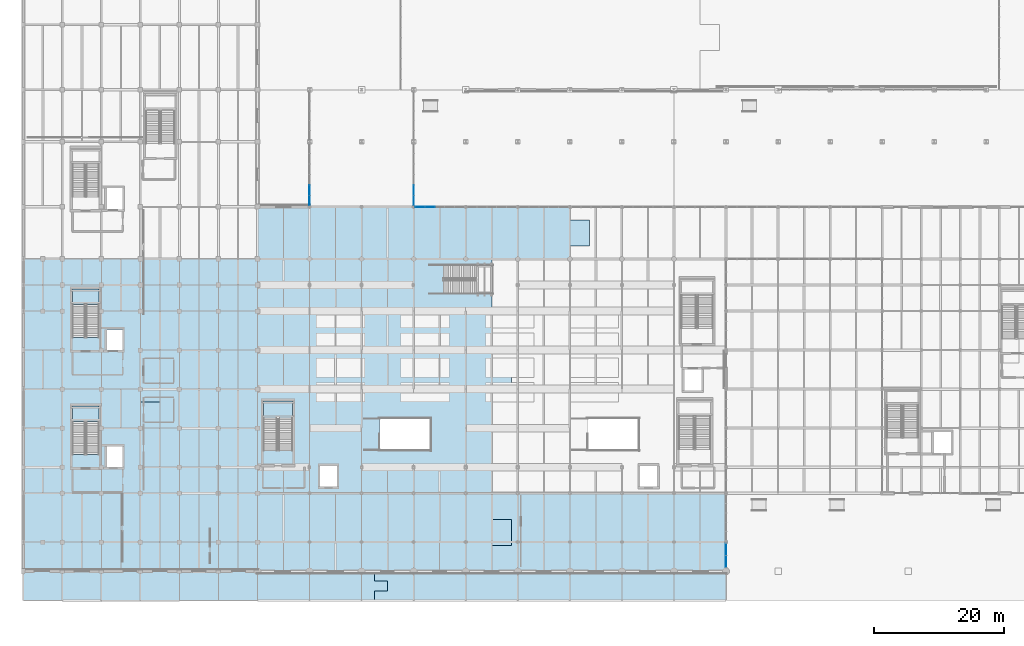
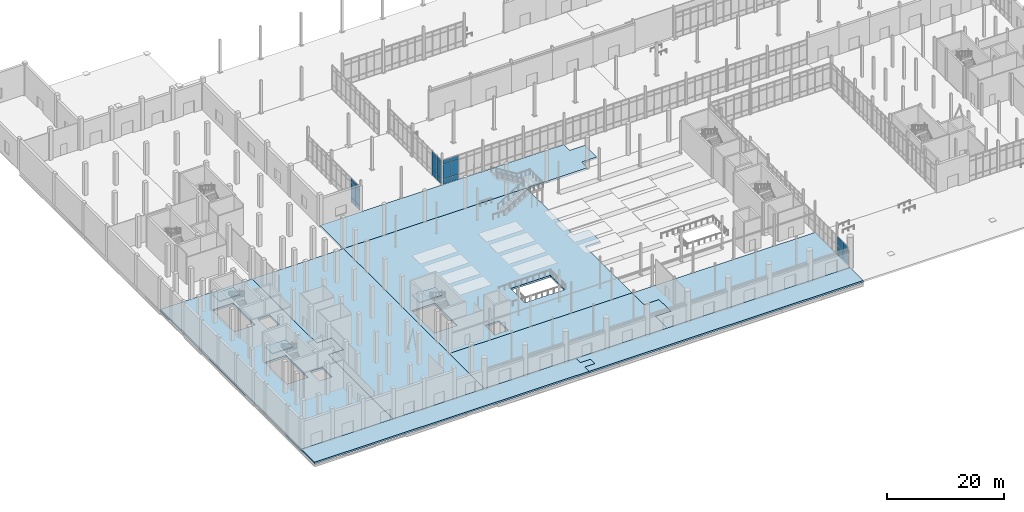
# One storey, part 98 of 140: 22 plates, 11 slabs, 7 elements without a shape of their own.
"""IFC4 building model written with IfcOpenShell, lengths in metres."""

from ifc_helpers import new_model, si_unit, direction, frame, origin, origin_2d, place, context, subcontext, project, spatial, polyline, rectangle, outline, extrude, material, layer, layer_set, type_object, element, aggregate, save


model = new_model("IFC4")

# Units and contexts
model_context = context("Model", 3, precision=1e-05, world=origin(), true_north=direction((0.0, 1.0)))
body_context = subcontext(model_context, "Body", "Model", "MODEL_VIEW")
ifc_project = project(units=[si_unit("LENGTHUNIT", "METRE"), si_unit("AREAUNIT", "SQUARE_METRE"), si_unit("VOLUMEUNIT", "CUBIC_METRE"), si_unit("PLANEANGLEUNIT", "RADIAN"), si_unit("MASSUNIT", "GRAM", prefix="KILO")], contexts=[model_context])

# Site, building, storey
site_placement = place(None, origin())
site = spatial("IfcSite", under=ifc_project, at=site_placement, CompositionType="ELEMENT")
building_placement = place(site_placement, origin())
building = spatial("IfcBuilding", under=site, at=building_placement, Name="Verrall Gate Interchange", CompositionType="ELEMENT")
storey_placement = place(building_placement, origin())
storey = spatial("IfcBuildingStorey", under=building, at=storey_placement, Name="L01", CompositionType="ELEMENT", Elevation=0.0)

# Curtain wall, plates
ifc_material_1 = material(Name="Thermally Broken Anodized Aluminium Curtain Wall Framing", Category="aluminium")
curtain_wall_type_1 = type_object("IfcCurtainWallType", Name="CW-01 Unitized Curtain Wall 3734x3870", PredefinedType="NOTDEFINED", material=ifc_material_1)
curtain_wall_1_placement = place(storey_placement, origin())
curtain_wall_1 = element("IfcCurtainWall", 1, at=curtain_wall_1_placement, inside=storey, type_object=curtain_wall_type_1, Name="L01 Unitized Curtain Wall CW-L01-001", PredefinedType="NOTDEFINED")
ifc_material_2 = material(Name="Triple-Glazed Low-E Argon Insulated Curtain Panel (U=1.45)", Category="glass")
ifc_layer_1 = layer(ifc_material_2, 0.030029296875)
ifc_layer_set_1 = layer_set([ifc_layer_1], Name="Triple-Glazed Low-E Argon Insulated Curtain Panel (U=1.45)")
plate_type = type_object("IfcPlateType", Name="CP-01 Curtain Glazing Panel 30", PredefinedType="CURTAIN_PANEL", material=ifc_layer_set_1)
plate_1_placement = place(storey_placement, frame((108.0, 1.5341796875, 0.06298828125), z_axis=(0.0, 0.0, 1.0), x_axis=(0.0, 1.0, 0.0)))
plate_1 = element("IfcPlate", 2, at=plate_1_placement, type_object=plate_type, Name="CW-L01-001 Glazing Panel 1.1", PredefinedType="CURTAIN_PANEL", context=body_context, shape_type="SweptSolid", body=[
    extrude(rectangle(XDim=1.7783203125, YDim=0.030029296875, at=origin_2d()), origin(), (0.0, 0.0, 1.0), 1.923828125),
])
plate_2_placement = place(storey_placement, frame((108.0, 1.5341796875, 2.037841796875), z_axis=(0.0, 0.0, 1.0), x_axis=(0.0, 1.0, 0.0)))
plate_2 = element("IfcPlate", 3, at=plate_2_placement, type_object=plate_type, Name="CW-L01-001 Glazing Panel 1.2", PredefinedType="CURTAIN_PANEL", context=body_context, shape_type="SweptSolid", body=[
    extrude(rectangle(XDim=1.7783203125, YDim=0.030029296875, at=origin_2d()), origin(), (0.0, 0.0, 1.0), 1.76904296875),
])
plate_3_placement = place(storey_placement, frame((108.0, 3.36328125, 0.06298828125), z_axis=(0.0, 0.0, 1.0), x_axis=(0.0, 1.0, 0.0)))
plate_3 = element("IfcPlate", 4, at=plate_3_placement, type_object=plate_type, Name="CW-L01-001 Glazing Panel 2.1", PredefinedType="CURTAIN_PANEL", context=body_context, shape_type="SweptSolid", body=[
    extrude(rectangle(XDim=1.7783203125, YDim=0.030029296875, at=origin_2d()), origin(), (0.0, 0.0, 1.0), 1.923828125),
])
plate_4_placement = place(storey_placement, frame((108.0, 3.36328125, 2.037841796875), z_axis=(0.0, 0.0, 1.0), x_axis=(0.0, 1.0, 0.0)))
plate_4 = element("IfcPlate", 5, at=plate_4_placement, type_object=plate_type, Name="CW-L01-001 Glazing Panel 2.2", PredefinedType="CURTAIN_PANEL", context=body_context, shape_type="SweptSolid", body=[
    extrude(rectangle(XDim=1.7783203125, YDim=0.030029296875, at=origin_2d()), origin(), (0.0, 0.0, 1.0), 1.76904296875),
])
aggregate(curtain_wall_1, [plate_1, plate_2, plate_3, plate_4])

ifc_material_3 = material(Name="Thermally Broken Anodized Aluminium Curtain Wall Framing", Category="aluminium")
curtain_wall_type_2 = type_object("IfcCurtainWallType", Name="CW-06 Unitized Curtain Wall 7631x5100", PredefinedType="NOTDEFINED", material=ifc_material_3)
curtain_wall_2_placement = place(storey_placement, origin())
curtain_wall_2 = element("IfcCurtainWall", 6, at=curtain_wall_2_placement, inside=storey, type_object=curtain_wall_type_2, Name="L01 Unitized Curtain Wall CW-L01-020", PredefinedType="NOTDEFINED")
plate_5_placement = place(storey_placement, frame((62.473876953125, 56.0, 0.0546875), z_axis=(0.0, 0.0, 1.0), x_axis=(-1.0, 0.0, 0.0)))
plate_5 = element("IfcPlate", 7, at=plate_5_placement, type_object=plate_type, Name="CW-L01-020 Glazing Panel 4.1", PredefinedType="CURTAIN_PANEL", context=body_context, shape_type="SweptSolid", body=[
    extrude(rectangle(XDim=1.48193359375, YDim=0.030029296875, at=origin_2d()), origin(), (0.0, 0.0, 1.0), 1.023193359375),
])
plate_6_placement = place(storey_placement, frame((62.473876953125, 56.0, 1.1220703125), z_axis=(0.0, 0.0, 1.0), x_axis=(-1.0, 0.0, 0.0)))
plate_6 = element("IfcPlate", 8, at=plate_6_placement, type_object=plate_type, Name="CW-L01-020 Glazing Panel 4.2", PredefinedType="CURTAIN_PANEL", context=body_context, shape_type="SweptSolid", body=[
    extrude(rectangle(XDim=1.48193359375, YDim=0.030029296875, at=origin_2d()), origin(), (0.0, 0.0, 1.0), 3.055908203125),
])
plate_7_placement = place(storey_placement, frame((62.473876953125, 56.0, 4.22216796875), z_axis=(0.0, 0.0, 1.0), x_axis=(-1.0, 0.0, 0.0)))
plate_7 = element("IfcPlate", 9, at=plate_7_placement, type_object=plate_type, Name="CW-L01-020 Glazing Panel 4.3", PredefinedType="CURTAIN_PANEL", context=body_context, shape_type="SweptSolid", body=[
    extrude(rectangle(XDim=1.48193359375, YDim=0.030029296875, at=origin_2d()), origin(), (0.0, 0.0, 1.0), 0.8232421875),
])
plate_8_placement = place(storey_placement, frame((60.9638671875, 56.0, 0.0546875), z_axis=(0.0, 0.0, 1.0), x_axis=(-1.0, 0.0, 0.0)))
plate_8 = element("IfcPlate", 10, at=plate_8_placement, type_object=plate_type, Name="CW-L01-020 Glazing Panel 5.1", PredefinedType="CURTAIN_PANEL", context=body_context, shape_type="SweptSolid", body=[
    extrude(rectangle(XDim=1.449462890625, YDim=0.030029296875, at=origin_2d()), origin(), (0.0, 0.0, 1.0), 1.023193359375),
])
plate_9_placement = place(storey_placement, frame((60.9638671875, 56.0, 1.1220703125), z_axis=(0.0, 0.0, 1.0), x_axis=(-1.0, 0.0, 0.0)))
plate_9 = element("IfcPlate", 11, at=plate_9_placement, type_object=plate_type, Name="CW-L01-020 Glazing Panel 5.2", PredefinedType="CURTAIN_PANEL", context=body_context, shape_type="SweptSolid", body=[
    extrude(rectangle(XDim=1.449462890625, YDim=0.030029296875, at=origin_2d()), origin(), (0.0, 0.0, 1.0), 3.055908203125),
])
plate_10_placement = place(storey_placement, frame((60.9638671875, 56.0, 4.22216796875), z_axis=(0.0, 0.0, 1.0), x_axis=(-1.0, 0.0, 0.0)))
plate_10 = element("IfcPlate", 12, at=plate_10_placement, type_object=plate_type, Name="CW-L01-020 Glazing Panel 5.3", PredefinedType="CURTAIN_PANEL", context=body_context, shape_type="SweptSolid", body=[
    extrude(rectangle(XDim=1.449462890625, YDim=0.030029296875, at=origin_2d()), origin(), (0.0, 0.0, 1.0), 0.8232421875),
])
aggregate(curtain_wall_2, [plate_5, plate_6, plate_7, plate_8, plate_9, plate_10])

ifc_material_4 = material(Name="Thermally Broken Anodized Aluminium Curtain Wall Framing", Category="aluminium")
curtain_wall_type_3 = type_object("IfcCurtainWallType", Name="CW-07 Unitized Curtain Wall 9606x5100", PredefinedType="NOTDEFINED", material=ifc_material_4)
curtain_wall_3_placement = place(storey_placement, origin())
curtain_wall_3 = element("IfcCurtainWall", 13, at=curtain_wall_3_placement, inside=storey, type_object=curtain_wall_type_3, Name="L01 Unitized Curtain Wall CW-L01-021", PredefinedType="NOTDEFINED")
plate_11_placement = place(storey_placement, frame((44.0, 57.003662109375, 0.06298828125), z_axis=(0.0, 0.0, 1.0), x_axis=(0.0, 1.0, 0.0)))
plate_11 = element("IfcPlate", 14, at=plate_11_placement, type_object=plate_type, Name="CW-L01-021 Glazing Panel 1.1", PredefinedType="CURTAIN_PANEL", context=body_context, shape_type="SweptSolid", body=[
    extrude(rectangle(XDim=1.512451171875, YDim=0.030029296875, at=origin_2d()), origin(), (0.0, 0.0, 1.0), 1.011474609375),
])
plate_12_placement = place(storey_placement, frame((44.0, 57.003662109375, 1.12548828125), z_axis=(0.0, 0.0, 1.0), x_axis=(0.0, 1.0, 0.0)))
plate_12 = element("IfcPlate", 15, at=plate_12_placement, type_object=plate_type, Name="CW-L01-021 Glazing Panel 1.2", PredefinedType="CURTAIN_PANEL", context=body_context, shape_type="SweptSolid", body=[
    extrude(rectangle(XDim=1.512451171875, YDim=0.030029296875, at=origin_2d()), origin(), (0.0, 0.0, 1.0), 3.049072265625),
])
plate_13_placement = place(storey_placement, frame((44.0, 57.003662109375, 4.225341796875), z_axis=(0.0, 0.0, 1.0), x_axis=(0.0, 1.0, 0.0)))
plate_13 = element("IfcPlate", 16, at=plate_13_placement, type_object=plate_type, Name="CW-L01-021 Glazing Panel 1.3", PredefinedType="CURTAIN_PANEL", context=body_context, shape_type="SweptSolid", body=[
    extrude(rectangle(XDim=1.512451171875, YDim=0.030029296875, at=origin_2d()), origin(), (0.0, 0.0, 1.0), 0.8115234375),
])
plate_14_placement = place(storey_placement, frame((44.0, 58.5859375, 0.06298828125), z_axis=(0.0, 0.0, 1.0), x_axis=(0.0, 1.0, 0.0)))
plate_14 = element("IfcPlate", 17, at=plate_14_placement, type_object=plate_type, Name="CW-L01-021 Glazing Panel 2.1", PredefinedType="CURTAIN_PANEL", context=body_context, shape_type="SweptSolid", body=[
    extrude(rectangle(XDim=1.5498046875, YDim=0.030029296875, at=origin_2d()), origin(), (0.0, 0.0, 1.0), 1.011474609375),
])
plate_15_placement = place(storey_placement, frame((44.0, 58.5859375, 1.12548828125), z_axis=(0.0, 0.0, 1.0), x_axis=(0.0, 1.0, 0.0)))
plate_15 = element("IfcPlate", 18, at=plate_15_placement, type_object=plate_type, Name="CW-L01-021 Glazing Panel 2.2", PredefinedType="CURTAIN_PANEL", context=body_context, shape_type="SweptSolid", body=[
    extrude(rectangle(XDim=1.5498046875, YDim=0.030029296875, at=origin_2d()), origin(), (0.0, 0.0, 1.0), 3.049072265625),
])
plate_16_placement = place(storey_placement, frame((44.0, 58.5859375, 4.225341796875), z_axis=(0.0, 0.0, 1.0), x_axis=(0.0, 1.0, 0.0)))
plate_16 = element("IfcPlate", 19, at=plate_16_placement, type_object=plate_type, Name="CW-L01-021 Glazing Panel 2.3", PredefinedType="CURTAIN_PANEL", context=body_context, shape_type="SweptSolid", body=[
    extrude(rectangle(XDim=1.5498046875, YDim=0.030029296875, at=origin_2d()), origin(), (0.0, 0.0, 1.0), 0.8115234375),
])
aggregate(curtain_wall_3, [plate_11, plate_12, plate_13, plate_14, plate_15, plate_16])

curtain_wall_4_placement = place(storey_placement, origin())
curtain_wall_4 = element("IfcCurtainWall", 20, at=curtain_wall_4_placement, inside=storey, type_object=curtain_wall_type_3, Name="L01 Unitized Curtain Wall CW-L01-024", PredefinedType="NOTDEFINED")
plate_17_placement = place(storey_placement, frame((60.0, 58.5859375, 0.0546875), z_axis=(0.0, 0.0, 1.0), x_axis=(0.0, -1.0, 0.0)))
plate_17 = element("IfcPlate", 21, at=plate_17_placement, type_object=plate_type, Name="CW-L01-024 Glazing Panel 5.1", PredefinedType="CURTAIN_PANEL", context=body_context, shape_type="SweptSolid", body=[
    extrude(rectangle(XDim=1.556640625, YDim=0.030029296875, at=origin_2d()), origin(), (0.0, 0.0, 1.0), 1.023193359375),
])
plate_18_placement = place(storey_placement, frame((60.0, 58.5859375, 1.1220703125), z_axis=(0.0, 0.0, 1.0), x_axis=(0.0, -1.0, 0.0)))
plate_18 = element("IfcPlate", 22, at=plate_18_placement, type_object=plate_type, Name="CW-L01-024 Glazing Panel 5.2", PredefinedType="CURTAIN_PANEL", context=body_context, shape_type="SweptSolid", body=[
    extrude(rectangle(XDim=1.556640625, YDim=0.030029296875, at=origin_2d()), origin(), (0.0, 0.0, 1.0), 3.055908203125),
])
plate_19_placement = place(storey_placement, frame((60.0, 58.5859375, 4.22216796875), z_axis=(0.0, 0.0, 1.0), x_axis=(0.0, -1.0, 0.0)))
plate_19 = element("IfcPlate", 23, at=plate_19_placement, type_object=plate_type, Name="CW-L01-024 Glazing Panel 5.3", PredefinedType="CURTAIN_PANEL", context=body_context, shape_type="SweptSolid", body=[
    extrude(rectangle(XDim=1.556640625, YDim=0.030029296875, at=origin_2d()), origin(), (0.0, 0.0, 1.0), 0.8232421875),
])
plate_20_placement = place(storey_placement, frame((60.0, 57.001220703125, 0.0546875), z_axis=(0.0, 0.0, 1.0), x_axis=(0.0, -1.0, 0.0)))
plate_20 = element("IfcPlate", 24, at=plate_20_placement, type_object=plate_type, Name="CW-L01-024 Glazing Panel 6.1", PredefinedType="CURTAIN_PANEL", context=body_context, shape_type="SweptSolid", body=[
    extrude(rectangle(XDim=1.524169921875, YDim=0.030029296875, at=origin_2d()), origin(), (0.0, 0.0, 1.0), 1.023193359375),
])
plate_21_placement = place(storey_placement, frame((60.0, 57.001220703125, 1.1220703125), z_axis=(0.0, 0.0, 1.0), x_axis=(0.0, -1.0, 0.0)))
plate_21 = element("IfcPlate", 25, at=plate_21_placement, type_object=plate_type, Name="CW-L01-024 Glazing Panel 6.2", PredefinedType="CURTAIN_PANEL", context=body_context, shape_type="SweptSolid", body=[
    extrude(rectangle(XDim=1.524169921875, YDim=0.030029296875, at=origin_2d()), origin(), (0.0, 0.0, 1.0), 3.055908203125),
])
plate_22_placement = place(storey_placement, frame((60.0, 57.001220703125, 4.22216796875), z_axis=(0.0, 0.0, 1.0), x_axis=(0.0, -1.0, 0.0)))
plate_22 = element("IfcPlate", 26, at=plate_22_placement, type_object=plate_type, Name="CW-L01-024 Glazing Panel 6.3", PredefinedType="CURTAIN_PANEL", context=body_context, shape_type="SweptSolid", body=[
    extrude(rectangle(XDim=1.524169921875, YDim=0.030029296875, at=origin_2d()), origin(), (0.0, 0.0, 1.0), 0.8232421875),
])
aggregate(curtain_wall_4, [plate_17, plate_18, plate_19, plate_20, plate_21, plate_22])

# Slabs
ifc_material_5 = material(Name="Concrete CSA A23.1 40 MPa (Class C-1)", Category="concrete")
ifc_layer_2 = layer(ifc_material_5, 0.39990234375)
ifc_layer_set_2 = layer_set([ifc_layer_2], Name="Concrete CSA A23.1 40 MPa (Class C-1)")
slab_type_1 = type_object("IfcSlabType", Name="FS-04 Floor Slab 400", PredefinedType="FLOOR", material=ifc_layer_set_2)
slab_1_placement = place(storey_placement, frame((0.0, 0.0, -0.39990234375)))
element("IfcSlab", 27, at=slab_1_placement, inside=storey, type_object=slab_type_1, Name="L01 Structural Slab SLB-L01-01", PredefinedType="FLOOR", context=body_context, shape_type="SweptSolid", body=[
    extrude(outline(polyline([(0.0, 0.0), (0.0, 48.0), (18.0, 48.0), (18.0, 26.0), (21.0, 26.0), (21.0, 22.0), (18.0, 22.0), (18.0, 0.0), (0.0, 0.0)]), holes=[polyline([(15.25, 19.199951171875), (12.85009765625, 19.199951171875), (12.85009765625, 16.0), (15.25, 16.0), (15.25, 19.199951171875)]), polyline([(15.25, 37.199951171875), (12.85009765625, 37.199951171875), (12.85009765625, 34.0), (15.25, 34.0), (15.25, 37.199951171875)]), polyline([(11.64990234375, 25.39990234375), (7.550048828125, 25.39990234375), (7.550048828125, 17.949951171875), (11.64990234375, 17.949951171875), (11.64990234375, 25.39990234375)]), polyline([(11.64990234375, 43.39990234375), (7.550048828125, 43.39990234375), (7.550048828125, 35.949951171875), (11.64990234375, 35.949951171875), (11.64990234375, 43.39990234375)])]), origin(), (0.0, 0.0, 1.0), 0.39990234375),
])
slab_2_placement = place(storey_placement, frame((0.0, 0.0, -0.39990234375)))
element("IfcSlab", 28, at=slab_2_placement, inside=storey, type_object=slab_type_1, Name="L01 Structural Slab SLB-L01-02", PredefinedType="FLOOR", context=body_context, shape_type="SweptSolid", body=[
    extrude(outline(polyline([(36.0, 0.0), (18.0, 0.0), (18.0, 22.0), (21.0, 22.0), (21.0, 26.0), (18.0, 26.0), (18.0, 48.0), (36.0, 48.0), (36.0, 0.0)])), origin(), (0.0, 0.0, 1.0), 0.39990234375),
])
slab_3_placement = place(storey_placement, frame((0.0, 0.0, -0.39990234375)))
element("IfcSlab", 29, at=slab_3_placement, inside=storey, type_object=slab_type_1, Name="L01 Structural Slab SLB-L01-06", PredefinedType="FLOOR", context=body_context, shape_type="SweptSolid", body=[
    extrude(outline(polyline([(36.0, 12.0), (72.0, 12.0), (72.0, 8.0), (75.0, 8.0), (75.0, 4.0), (72.0, 4.0), (72.0, 0.0), (36.0, 0.0), (36.0, 12.0)])), origin(), (0.0, 0.0, 1.0), 0.39990234375),
])
slab_4_placement = place(storey_placement, frame((0.0, 0.0, -0.39990234375)))
element("IfcSlab", 30, at=slab_4_placement, inside=storey, type_object=slab_type_1, Name="L01 Structural Slab SLB-L01-07", PredefinedType="FLOOR", context=body_context, shape_type="SweptSolid", body=[
    extrude(outline(polyline([(108.0, 0.0), (72.0, 0.0), (72.0, 4.0), (75.0, 4.0), (75.0, 8.0), (72.0, 8.0), (72.0, 12.0), (108.0, 12.0), (108.0, 0.0)])), origin(), (0.0, 0.0, 1.0), 0.39990234375),
])
slab_5_placement = place(storey_placement, frame((0.0, 0.0, -0.39990234375)))
element("IfcSlab", 31, at=slab_5_placement, inside=storey, type_object=slab_type_1, Name="L01 Structural Slab SLB-L01-08", PredefinedType="FLOOR", context=body_context, shape_type="SweptSolid", body=[
    extrude(outline(polyline([(36.0, 48.0), (72.0, 48.0), (72.0, 32.0), (75.0, 32.0), (75.0, 28.0), (72.0, 28.0), (72.0, 12.0), (36.0, 12.0), (36.0, 48.0)]), holes=[polyline([(54.75, 23.5), (54.75, 18.60009765625), (62.60009765625, 18.60009765625), (62.60009765625, 23.5), (54.75, 23.5)]), polyline([(45.60009765625, 16.199951171875), (45.60009765625, 13.0), (48.199951171875, 13.0), (48.199951171875, 16.199951171875), (45.60009765625, 16.199951171875)]), polyline([(36.89990234375, 26.199951171875), (36.89990234375, 18.550048828125), (41.39990234375, 18.550048828125), (41.39990234375, 26.199951171875), (36.89990234375, 26.199951171875)])]), origin(), (0.0, 0.0, 1.0), 0.39990234375),
])
slab_6_placement = place(storey_placement, frame((0.0, 0.0, -0.39990234375)))
element("IfcSlab", 32, at=slab_6_placement, inside=storey, type_object=slab_type_1, Name="L01 Structural Slab SLB-L01-10", PredefinedType="FLOOR", context=body_context, shape_type="SweptSolid", body=[
    extrude(outline(polyline([(36.0, 56.0), (84.0, 56.0), (84.0, 54.0), (87.0, 54.0), (87.0, 50.0), (84.0, 50.0), (84.0, 48.0), (72.0, 48.0), (36.0, 48.0), (36.0, 56.0)])), origin(), (0.0, 0.0, 1.0), 0.39990234375),
])
ifc_material_6 = material(Name="Concrete CSA A23.1 40 MPa (Class C-1)", Category="concrete")
ifc_layer_3 = layer(ifc_material_6, 0.35009765625)
ifc_layer_set_3 = layer_set([ifc_layer_3], Name="Concrete CSA A23.1 40 MPa (Class C-1)")
slab_type_2 = type_object("IfcSlabType", Name="FS-05 Floor Slab 350", PredefinedType="FLOOR", material=ifc_layer_set_3)
slab_7_placement = place(storey_placement, frame((0.0, 0.0, -0.35009765625)))
element("IfcSlab", 33, at=slab_7_placement, inside=storey, type_object=slab_type_2, Name="L01 Structural Slab SLB-L01-SW1", PredefinedType="FLOOR", context=body_context, shape_type="SweptSolid", body=[
    extrude(outline(polyline([(0.0, 0.0), (18.0, 0.0), (36.0, 0.0), (54.0, 0.0), (54.0, -1.5), (56.0, -1.5), (56.0, -3.0), (54.0, -3.0), (54.0, -4.5), (0.0, -4.5), (0.0, 0.0)])), origin(), (0.0, 0.0, 1.0), 0.35009765625),
])
slab_8_placement = place(storey_placement, frame((0.0, 0.0, -0.35009765625)))
element("IfcSlab", 34, at=slab_8_placement, inside=storey, type_object=slab_type_2, Name="L01 Structural Slab SLB-L01-SW2", PredefinedType="FLOOR", context=body_context, shape_type="SweptSolid", body=[
    extrude(outline(polyline([(108.0, -4.5), (54.0, -4.5), (54.0, -3.0), (56.0, -3.0), (56.0, -1.5), (54.0, -1.5), (54.0, 0.0), (72.0, 0.0), (108.0, 0.0), (108.0, -4.5)])), origin(), (0.0, 0.0, 1.0), 0.35009765625),
])

# Stair, slab
ifc_material_7 = material(Name="Concrete CSA A23.1 40 MPa (Class N)", Category="concrete")
stair_type_1 = type_object("IfcStairType", Name="ST-T03 Straight-Flight Return Exit Stair W1950 H6600", PredefinedType="STRAIGHT_RUN_STAIR", material=ifc_material_7)
stair_1_placement = place(storey_placement, origin())
stair_1 = element("IfcStair", 35, at=stair_1_placement, inside=storey, type_object=stair_type_1, Name="L01 ST-01", PredefinedType="STRAIGHT_RUN_STAIR")
ifc_material_8 = material(Name="Concrete CSA A23.1 40 MPa (Class N)", Category="concrete")
ifc_layer_4 = layer(ifc_material_8, 0.18994140625)
ifc_layer_set_4 = layer_set([ifc_layer_4], Name="Concrete CSA A23.1 40 MPa (Class N)")
slab_type_3 = type_object("IfcSlabType", Name="LS-01 Stair Landing Slab 190", PredefinedType="LANDING", material=ifc_layer_set_4)
slab_9_placement = place(storey_placement, frame((0.0, 0.0, 3.10009765625)))
slab_9 = element("IfcSlab", 36, at=slab_9_placement, type_object=slab_type_3, Name="ST-01 landing 1", PredefinedType="LANDING", context=body_context, shape_type="SweptSolid", body=[
    extrude(outline(polyline([(11.64990234375, 22.989990234375), (11.64990234375, 25.39990234375), (7.550048828125, 25.39990234375), (7.550048828125, 22.989990234375), (11.64990234375, 22.989990234375)])), origin(), (0.0, 0.0, 1.0), 0.199951171875),
])
aggregate(stair_1, [slab_9])

stair_2_placement = place(storey_placement, origin())
stair_2 = element("IfcStair", 37, at=stair_2_placement, inside=storey, type_object=stair_type_1, Name="L01 ST-02", PredefinedType="STRAIGHT_RUN_STAIR")
slab_10_placement = place(storey_placement, frame((0.0, 0.0, 3.10009765625)))
slab_10 = element("IfcSlab", 38, at=slab_10_placement, type_object=slab_type_3, Name="ST-02 landing 1", PredefinedType="LANDING", context=body_context, shape_type="SweptSolid", body=[
    extrude(outline(polyline([(11.64990234375, 40.989990234375), (11.64990234375, 43.39990234375), (7.550048828125, 43.39990234375), (7.550048828125, 40.989990234375), (11.64990234375, 40.989990234375)])), origin(), (0.0, 0.0, 1.0), 0.199951171875),
])
aggregate(stair_2, [slab_10])

ifc_material_9 = material(Name="Concrete CSA A23.1 40 MPa (Class N)", Category="concrete")
stair_type_2 = type_object("IfcStairType", Name="ST-T09 Straight-Flight Return Exit Stair W2150 H6600", PredefinedType="STRAIGHT_RUN_STAIR", material=ifc_material_9)
stair_3_placement = place(storey_placement, origin())
stair_3 = element("IfcStair", 39, at=stair_3_placement, inside=storey, type_object=stair_type_2, Name="L01 ST-05", PredefinedType="STRAIGHT_RUN_STAIR")
slab_11_placement = place(storey_placement, frame((0.0, 0.0, 3.10009765625)))
slab_11 = element("IfcSlab", 40, at=slab_11_placement, type_object=slab_type_3, Name="ST-05 landing 1", PredefinedType="LANDING", context=body_context, shape_type="SweptSolid", body=[
    extrude(outline(polyline([(41.39990234375, 23.590087890625), (41.39990234375, 26.199951171875), (36.89990234375, 26.199951171875), (36.89990234375, 23.590087890625), (41.39990234375, 23.590087890625)])), origin(), (0.0, 0.0, 1.0), 0.199951171875),
])
aggregate(stair_3, [slab_11])

save(model, "model.ifc")
